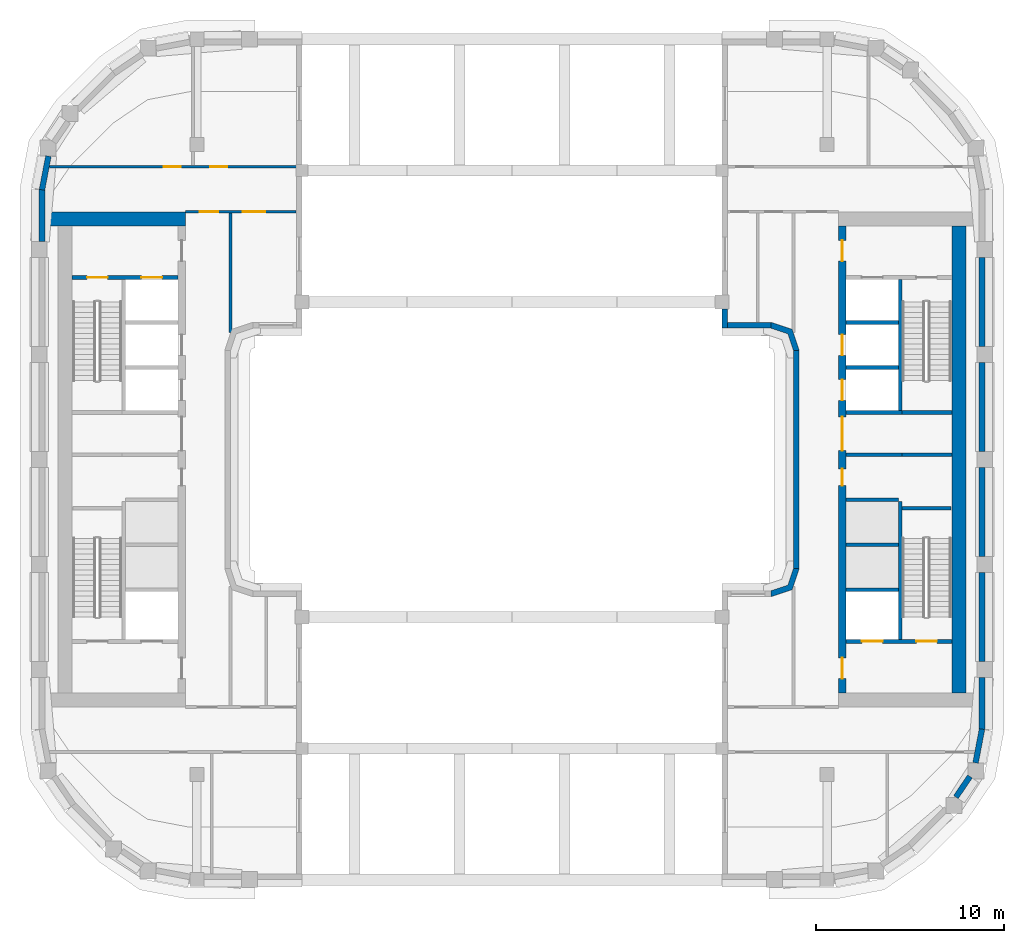
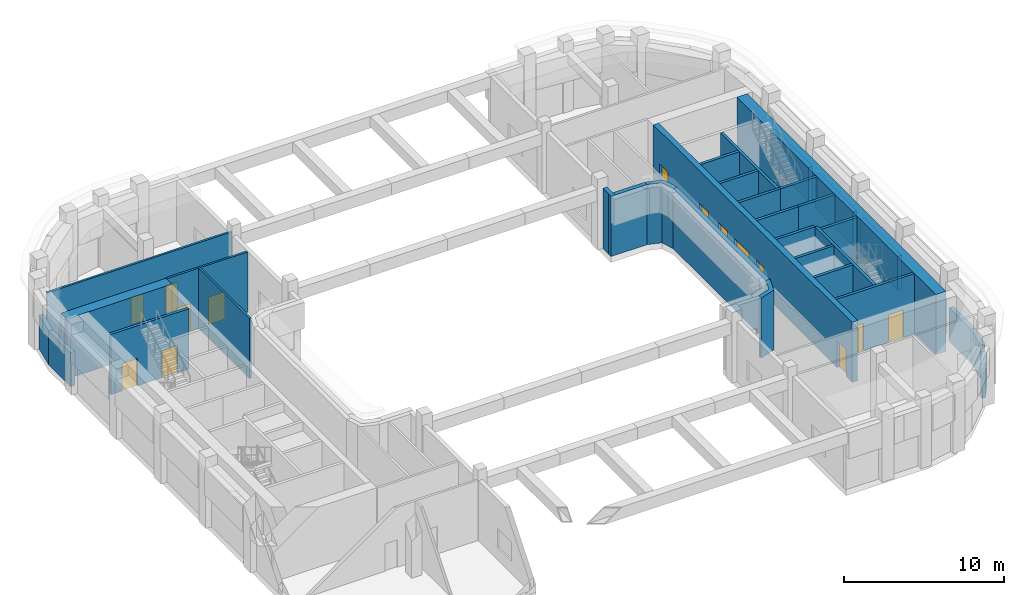
# One storey, part 4 of 13: 34 walls, 14 doors, 14 openings.
"""IFC4 building model written with IfcOpenShell, lengths in metres."""

from ifc_helpers import new_model, si_unit, direction, frame, frame_2d, origin, place, context, subcontext, project, spatial, polyline, rectangle, outline, extrude, material, layer, layer_set, type_object, element, fill, save


model = new_model("IFC4")

# Units and contexts
model_context = context("Model", 3, precision=1e-05, world=origin(), true_north=direction((0.0, 1.0)))
body_context = subcontext(model_context, "Body", "Model", "MODEL_VIEW")
ifc_project = project(units=[si_unit("LENGTHUNIT", "METRE"), si_unit("AREAUNIT", "SQUARE_METRE"), si_unit("VOLUMEUNIT", "CUBIC_METRE"), si_unit("PLANEANGLEUNIT", "RADIAN"), si_unit("MASSUNIT", "GRAM", prefix="KILO")], contexts=[model_context])

# Site, building, storey
site_placement = place(None, origin())
site = spatial("IfcSite", under=ifc_project, at=site_placement, CompositionType="ELEMENT")
building_placement = place(site_placement, origin())
building = spatial("IfcBuilding", under=site, at=building_placement, Name="Kiln Ring Residences", CompositionType="ELEMENT")
storey_placement = place(building_placement, frame((0.0, 0.0, 236.300048828125)))
storey = spatial("IfcBuildingStorey", under=building, at=storey_placement, Name="L61", CompositionType="ELEMENT", Elevation=236.300048828125)

# Walls
ifc_material_1 = material(Name="Gypsum board on steel studs", Category="steel")
ifc_layer_1 = layer(ifc_material_1, 0.199951171875)
ifc_layer_set_1 = layer_set([ifc_layer_1], Name="CORE-PARTITION-200")
wall_type_1 = type_object("IfcWallType", Name="CORE-PARTITION-200", PredefinedType="PARTITIONING", material=ifc_layer_set_1)
wall_1_placement = place(storey_placement, frame((20.800048828125, 0.25, 0.0), z_axis=(0.0, 0.0, 1.0), x_axis=(1.0, 0.0, 0.0)))
element("IfcWall", 1, at=wall_1_placement, inside=storey, type_object=wall_type_1, Name="Core partition east L61 1", PredefinedType="PARTITIONING", context=body_context, shape_type="SweptSolid", body=[
    extrude(rectangle(XDim=2.64990234375, YDim=0.199951171875, at=frame_2d((1.324951171875, 0.0))), origin(), (0.0, 0.0, 1.0), 4.599853515625),
])
ifc_material_2 = material(Name="Gypsum shaft wall system")
ifc_layer_2 = layer(ifc_material_2, 0.199951171875)
ifc_layer_set_2 = layer_set([ifc_layer_2], Name="CORE-SHAFT-WALL-200")
wall_type_2 = type_object("IfcWallType", Name="CORE-SHAFT-WALL-200", PredefinedType="PARTITIONING", material=ifc_layer_set_2)
for number, where, z_axis, x_axis, name in (
    (2, (17.800048828125, -6.949951171875, 0.0), (0.0, 0.0, 1.0), (1.0, 0.0, 0.0), "Core partition east L61 2"),
    (3, (17.800048828125, -4.550048828125, 0.0), (0.0, 0.0, 1.0), (1.0, 0.0, 0.0), "Core partition east L61 3"),
    (4, (17.800048828125, -2.14990234375, 0.0), (0.0, 0.0, 1.0), (1.0, 0.0, 0.0), "Core partition east L61 4"),
):
    element("IfcWall", number, at=place(storey_placement, frame(where, z_axis=z_axis, x_axis=x_axis)), inside=storey, type_object=wall_type_2, Name=name, PredefinedType="PARTITIONING", context=body_context, shape_type="SweptSolid", body=[
        extrude(rectangle(XDim=2.800048828125, YDim=0.199951171875, at=frame_2d((1.39990234375, 0.0))), origin(), (0.0, 0.0, 1.0), 4.599853515625),
    ])
for number, where, z_axis, x_axis, name in (
    (5, (17.800048828125, 0.25, 0.0), (0.0, 0.0, 1.0), (1.0, 0.0, 0.0), "Core partition east L61 5"),
    (6, (17.800048828125, 2.5, 0.0), (0.0, 0.0, 1.0), (1.0, 0.0, 0.0), "Core partition east L61 6"),
):
    element("IfcWall", number, at=place(storey_placement, frame(where, z_axis=z_axis, x_axis=x_axis)), inside=storey, type_object=wall_type_2, Name=name, PredefinedType="PARTITIONING", context=body_context, shape_type="SweptSolid", body=[
        extrude(rectangle(XDim=3.0, YDim=0.199951171875, at=frame_2d((1.5, 0.0))), origin(), (0.0, 0.0, 1.0), 4.599853515625),
    ])
for number, where, z_axis, x_axis, name in (
    (7, (17.800048828125, 4.89990234375, 0.0), (0.0, 0.0, 1.0), (1.0, 0.0, 0.0), "Core partition east L61 7"),
    (8, (17.800048828125, 7.300048828125, 0.0), (0.0, 0.0, 1.0), (1.0, 0.0, 0.0), "Core partition east L61 8"),
):
    element("IfcWall", number, at=place(storey_placement, frame(where, z_axis=z_axis, x_axis=x_axis)), inside=storey, type_object=wall_type_2, Name=name, PredefinedType="PARTITIONING", context=body_context, shape_type="SweptSolid", body=[
        extrude(rectangle(XDim=2.800048828125, YDim=0.199951171875, at=frame_2d((1.39990234375, 0.0))), origin(), (0.0, 0.0, 1.0), 4.599853515625),
    ])

# Wall, openings, doors
ifc_material_3 = material(Name="Concrete C40/50", Category="concrete")
ifc_layer_3 = layer(ifc_material_3, 0.199951171875)
ifc_layer_set_3 = layer_set([ifc_layer_3], Name="CORE-WALL-RC200")
wall_type_3 = type_object("IfcWallType", Name="CORE-WALL-RC200", PredefinedType="SHEAR", material=ifc_layer_set_3)
wall_2_placement = place(storey_placement, frame((-17.800048828125, 9.699951171875, 0.0), z_axis=(0.0, 0.0, 1.0), x_axis=(-1.0, 0.0, 0.0)))
wall_2 = element("IfcWall", 9, at=wall_2_placement, inside=storey, type_object=wall_type_3, Name="Core wall west L61 9", PredefinedType="SHEAR", context=body_context, shape_type="SweptSolid", body=[
    extrude(rectangle(XDim=5.64990234375, YDim=0.199951171875, at=frame_2d((2.824951171875, 0.0))), origin(), (0.0, 0.0, 1.0), 4.599853515625),
])
opening_1_placement = place(wall_2_placement, frame((0.85009765625, 0.0, 0.0)))
opening_1 = element("IfcOpeningElement", 10, at=opening_1_placement, cuts=wall_2, Name="Opening L61-CW05", PredefinedType="OPENING", context=body_context, shape_type="SweptSolid", body=[
    extrude(rectangle(XDim=1.10009765625, YDim=2.10009765625, at=frame_2d((0.550048828125, 1.050048828125))), frame((0.0, 0.10986328125, 0.0), z_axis=(0.0, -1.0, 0.0), x_axis=(1.0, 0.0, 0.0)), (0.0, 0.0, 1.0), 0.219970703125),
])
opening_2_placement = place(wall_2_placement, frame((3.75, 0.0, 0.0)))
opening_2 = element("IfcOpeningElement", 11, at=opening_2_placement, cuts=wall_2, Name="Opening L61-CW08", PredefinedType="OPENING", context=body_context, shape_type="SweptSolid", body=[
    extrude(rectangle(XDim=1.10009765625, YDim=2.10009765625, at=frame_2d((0.550048828125, 1.050048828125))), frame((0.0, 0.10986328125, 0.0), z_axis=(0.0, -1.0, 0.0), x_axis=(1.0, 0.0, 0.0)), (0.0, 0.0, 1.0), 0.219970703125),
])
ifc_material_4 = material(Name="Steel door leaf", Category="steel")
door_type_1 = type_object("IfcDoorType", Name="CORE-DOOR-LD", OperationType="DOUBLE_DOOR_SLIDING", PredefinedType="DOOR", material=ifc_material_4)
door_1_placement = place(opening_1_placement, origin())
door_1 = element("IfcDoor", 12, at=door_1_placement, inside=storey, type_object=door_type_1, Name="LD W-FF L61-CW05", OperationType="DOUBLE_DOOR_SLIDING", OverallHeight=2.10009765625, OverallWidth=1.10009765625, PredefinedType="DOOR", context=body_context, shape_type="SweptSolid", body=[
    extrude(rectangle(XDim=1.10009765625, YDim=2.10009765625, at=frame_2d((0.550048828125, 1.050048828125))), frame((0.0, 0.02490234375, 0.0), z_axis=(0.0, -1.0, 0.0), x_axis=(1.0, 0.0, 0.0)), (0.0, 0.0, 1.0), 0.050048828125),
])
fill(opening_1, door_1)
ifc_material_5 = material(Name="Steel door leaf", Category="steel")
door_type_2 = type_object("IfcDoorType", Name="CORE-DOOR-STAIR", OperationType="SINGLE_SWING_LEFT", PredefinedType="DOOR", material=ifc_material_5)
door_2_placement = place(opening_2_placement, origin())
door_2 = element("IfcDoor", 13, at=door_2_placement, inside=storey, type_object=door_type_2, Name="Stair W-STN L61-CW08", OperationType="SINGLE_SWING_RIGHT", OverallHeight=2.10009765625, OverallWidth=1.10009765625, PredefinedType="DOOR", context=body_context, shape_type="SweptSolid", body=[
    extrude(rectangle(XDim=1.10009765625, YDim=2.10009765625, at=frame_2d((0.550048828125, 1.050048828125))), frame((0.0, 0.02490234375, 0.0), z_axis=(0.0, -1.0, 0.0), x_axis=(1.0, 0.0, 0.0)), (0.0, 0.0, 1.0), 0.050048828125),
])
fill(opening_2, door_2)

# Walls
wall_3_placement = place(storey_placement, frame((20.699951171875, 2.60009765625, 0.0), z_axis=(0.0, 0.0, 1.0), x_axis=(0.0, 1.0, 0.0)))
element("IfcWall", 14, at=wall_3_placement, inside=storey, type_object=wall_type_3, Name="Core wall east L61 1", PredefinedType="SHEAR", context=body_context, shape_type="SweptSolid", body=[
    extrude(rectangle(XDim=7.0, YDim=0.199951171875, at=frame_2d((3.5, 0.0))), origin(), (0.0, 0.0, 1.0), 4.599853515625),
])
wall_4_placement = place(storey_placement, frame((20.699951171875, -9.60009765625, 0.0), z_axis=(0.0, 0.0, 1.0), x_axis=(0.0, 1.0, 0.0)))
element("IfcWall", 15, at=wall_4_placement, inside=storey, type_object=wall_type_3, Name="Core wall east L61 2", PredefinedType="SHEAR", context=body_context, shape_type="SweptSolid", body=[
    extrude(rectangle(XDim=7.35009765625, YDim=0.199951171875, at=frame_2d((3.675048828125, 0.0))), origin(), (0.0, 0.0, 1.0), 4.599853515625),
])
wall_5_placement = place(storey_placement, frame((20.800048828125, 2.5, 0.0), z_axis=(0.0, 0.0, 1.0), x_axis=(1.0, 0.0, 0.0)))
element("IfcWall", 16, at=wall_5_placement, inside=storey, type_object=wall_type_3, Name="Core wall east L61 3", PredefinedType="SHEAR", context=body_context, shape_type="SweptSolid", body=[
    extrude(rectangle(XDim=2.64990234375, YDim=0.199951171875, at=frame_2d((1.324951171875, 0.0))), origin(), (0.0, 0.0, 1.0), 4.599853515625),
])

# Wall, openings, doors
wall_6_placement = place(storey_placement, frame((17.800048828125, -9.699951171875, 0.0), z_axis=(0.0, 0.0, 1.0), x_axis=(1.0, 0.0, 0.0)))
wall_6 = element("IfcWall", 17, at=wall_6_placement, inside=storey, type_object=wall_type_3, Name="Core wall east L61 8", PredefinedType="SHEAR", context=body_context, shape_type="SweptSolid", body=[
    extrude(rectangle(XDim=5.64990234375, YDim=0.199951171875, at=frame_2d((2.824951171875, 0.0))), origin(), (0.0, 0.0, 1.0), 4.599853515625),
])
opening_3_placement = place(wall_6_placement, frame((0.85009765625, 0.0, 0.0)))
opening_3 = element("IfcOpeningElement", 18, at=opening_3_placement, cuts=wall_6, Name="Opening L61-CE01", PredefinedType="OPENING", context=body_context, shape_type="SweptSolid", body=[
    extrude(rectangle(XDim=1.10009765625, YDim=2.10009765625, at=frame_2d((0.550048828125, 1.050048828125))), frame((0.0, 0.10986328125, 0.0), z_axis=(0.0, -1.0, 0.0), x_axis=(1.0, 0.0, 0.0)), (0.0, 0.0, 1.0), 0.219970703125),
])
opening_4_placement = place(wall_6_placement, frame((3.75, 0.0, 0.0)))
opening_4 = element("IfcOpeningElement", 19, at=opening_4_placement, cuts=wall_6, Name="Opening L61-CE09", PredefinedType="OPENING", context=body_context, shape_type="SweptSolid", body=[
    extrude(rectangle(XDim=1.10009765625, YDim=2.10009765625, at=frame_2d((0.550048828125, 1.050048828125))), frame((0.0, 0.10986328125, 0.0), z_axis=(0.0, -1.0, 0.0), x_axis=(1.0, 0.0, 0.0)), (0.0, 0.0, 1.0), 0.219970703125),
])
door_3_placement = place(opening_3_placement, origin())
door_3 = element("IfcDoor", 20, at=door_3_placement, inside=storey, type_object=door_type_1, Name="LD E-SV L61-CE01", OperationType="DOUBLE_DOOR_SLIDING", OverallHeight=2.10009765625, OverallWidth=1.10009765625, PredefinedType="DOOR", context=body_context, shape_type="SweptSolid", body=[
    extrude(rectangle(XDim=1.10009765625, YDim=2.10009765625, at=frame_2d((0.550048828125, 1.050048828125))), frame((0.0, 0.02490234375, 0.0), z_axis=(0.0, -1.0, 0.0), x_axis=(1.0, 0.0, 0.0)), (0.0, 0.0, 1.0), 0.050048828125),
])
fill(opening_3, door_3)
door_4_placement = place(opening_4_placement, origin())
door_4 = element("IfcDoor", 21, at=door_4_placement, inside=storey, type_object=door_type_2, Name="Stair E-STS L61-CE09", OperationType="SINGLE_SWING_LEFT", OverallHeight=2.10009765625, OverallWidth=1.10009765625, PredefinedType="DOOR", context=body_context, shape_type="SweptSolid", body=[
    extrude(rectangle(XDim=1.10009765625, YDim=2.10009765625, at=frame_2d((0.550048828125, 1.050048828125))), frame((0.0, 0.02490234375, 0.0), z_axis=(0.0, -1.0, 0.0), x_axis=(1.0, 0.0, 0.0)), (0.0, 0.0, 1.0), 0.050048828125),
])
fill(opening_4, door_4)

# Wall
wall_7_placement = place(storey_placement, frame((20.800048828125, -2.60009765625, 0.0), z_axis=(0.0, 0.0, 1.0), x_axis=(1.0, 0.0, 0.0)))
element("IfcWall", 22, at=wall_7_placement, inside=storey, type_object=wall_type_3, Name="Core wall east L61 10", PredefinedType="SHEAR", context=body_context, shape_type="SweptSolid", body=[
    extrude(rectangle(XDim=2.599853515625, YDim=0.199951171875, at=frame_2d((1.2998046875, 0.0))), origin(), (0.0, 0.0, 1.0), 4.599853515625),
])

# Wall, openings, doors
ifc_material_6 = material(Name="Concrete C60/75", Category="concrete")
ifc_layer_4 = layer(ifc_material_6, 0.39990234375)
ifc_layer_set_4 = layer_set([ifc_layer_4], Name="CORE-WALL-RC400")
wall_type_4 = type_object("IfcWallType", Name="CORE-WALL-RC400", PredefinedType="SHEAR", material=ifc_layer_set_4)
wall_8_placement = place(storey_placement, frame((17.60009765625, -12.449951171875, 0.0), z_axis=(0.0, 0.0, 1.0), x_axis=(0.0, 1.0, 0.0)))
wall_8 = element("IfcWall", 23, at=wall_8_placement, inside=storey, type_object=wall_type_4, Name="Core wall east L61 6", PredefinedType="SHEAR", context=body_context, shape_type="SweptSolid", body=[
    extrude(rectangle(XDim=24.89990234375, YDim=0.39990234375, at=frame_2d((12.449951171875, 0.0))), origin(), (0.0, 0.0, 1.0), 4.599853515625),
])
opening_5_placement = place(wall_8_placement, frame((11.050048828125, 0.0, 0.0)))
opening_5 = element("IfcOpeningElement", 24, at=opening_5_placement, cuts=wall_8, Name="Opening L61-CE02", PredefinedType="OPENING", context=body_context, shape_type="SweptSolid", body=[
    extrude(rectangle(XDim=0.89990234375, YDim=2.10009765625, at=frame_2d((0.449951171875, 1.050048828125))), frame((0.0, 0.2099609375, 0.0), z_axis=(0.0, -1.0, 0.0), x_axis=(1.0, 0.0, 0.0)), (0.0, 0.0, 1.0), 0.419921875),
])
opening_6_placement = place(wall_8_placement, frame((15.60009765625, 0.0, 0.0)))
opening_6 = element("IfcOpeningElement", 25, at=opening_6_placement, cuts=wall_8, Name="Opening L61-CE03", PredefinedType="OPENING", context=body_context, shape_type="SweptSolid", body=[
    extrude(rectangle(XDim=1.10009765625, YDim=2.10009765625, at=frame_2d((0.550048828125, 1.050048828125))), frame((0.0, 0.2099609375, 0.0), z_axis=(0.0, -1.0, 0.0), x_axis=(1.0, 0.0, 0.0)), (0.0, 0.0, 1.0), 0.419921875),
])
opening_7_placement = place(wall_8_placement, frame((18.0, 0.0, 0.0)))
opening_7 = element("IfcOpeningElement", 26, at=opening_7_placement, cuts=wall_8, Name="Opening L61-CE04", PredefinedType="OPENING", context=body_context, shape_type="SweptSolid", body=[
    extrude(rectangle(XDim=1.10009765625, YDim=2.10009765625, at=frame_2d((0.550048828125, 1.050048828125))), frame((0.0, 0.2099609375, 0.0), z_axis=(0.0, -1.0, 0.0), x_axis=(1.0, 0.0, 0.0)), (0.0, 0.0, 1.0), 0.419921875),
])
opening_8_placement = place(wall_8_placement, frame((23.02490234375, 0.0, 0.0)))
opening_8 = element("IfcOpeningElement", 27, at=opening_8_placement, cuts=wall_8, Name="Opening L61-CE06", PredefinedType="OPENING", context=body_context, shape_type="SweptSolid", body=[
    extrude(rectangle(XDim=1.10009765625, YDim=2.10009765625, at=frame_2d((0.550048828125, 1.050048828125))), frame((0.0, 0.2099609375, 0.0), z_axis=(0.0, -1.0, 0.0), x_axis=(1.0, 0.0, 0.0)), (0.0, 0.0, 1.0), 0.419921875),
])
opening_9_placement = place(wall_8_placement, frame((0.77490234375, 0.0, 0.0)))
opening_9 = element("IfcOpeningElement", 28, at=opening_9_placement, cuts=wall_8, Name="Opening L61-CE07", PredefinedType="OPENING", context=body_context, shape_type="SweptSolid", body=[
    extrude(rectangle(XDim=1.10009765625, YDim=2.10009765625, at=frame_2d((0.550048828125, 1.050048828125))), frame((0.0, 0.2099609375, 0.0), z_axis=(0.0, -1.0, 0.0), x_axis=(1.0, 0.0, 0.0)), (0.0, 0.0, 1.0), 0.419921875),
])
opening_10_placement = place(wall_8_placement, frame((12.925048828125, 0.0, 0.0)))
opening_10 = element("IfcOpeningElement", 29, at=opening_10_placement, cuts=wall_8, Name="Opening L61-CE10", PredefinedType="OPENING", context=body_context, shape_type="SweptSolid", body=[
    extrude(rectangle(XDim=1.800048828125, YDim=2.10009765625, at=frame_2d((0.89990234375, 1.050048828125))), frame((0.0, 0.2099609375, 0.0), z_axis=(0.0, -1.0, 0.0), x_axis=(1.0, 0.0, 0.0)), (0.0, 0.0, 1.0), 0.419921875),
])
door_5_placement = place(opening_6_placement, origin())
door_5 = element("IfcDoor", 30, at=door_5_placement, inside=storey, type_object=door_type_1, Name="LD E-M1 L61-CE03", OperationType="DOUBLE_DOOR_SLIDING", OverallHeight=2.10009765625, OverallWidth=1.10009765625, PredefinedType="DOOR", context=body_context, shape_type="SweptSolid", body=[
    extrude(rectangle(XDim=1.10009765625, YDim=2.10009765625, at=frame_2d((0.550048828125, 1.050048828125))), frame((0.0, 0.02490234375, 0.0), z_axis=(0.0, -1.0, 0.0), x_axis=(1.0, 0.0, 0.0)), (0.0, 0.0, 1.0), 0.050048828125),
])
fill(opening_6, door_5)
door_6_placement = place(opening_7_placement, origin())
door_6 = element("IfcDoor", 31, at=door_6_placement, inside=storey, type_object=door_type_1, Name="LD E-M2 L61-CE04", OperationType="DOUBLE_DOOR_SLIDING", OverallHeight=2.10009765625, OverallWidth=1.10009765625, PredefinedType="DOOR", context=body_context, shape_type="SweptSolid", body=[
    extrude(rectangle(XDim=1.10009765625, YDim=2.10009765625, at=frame_2d((0.550048828125, 1.050048828125))), frame((0.0, 0.02490234375, 0.0), z_axis=(0.0, -1.0, 0.0), x_axis=(1.0, 0.0, 0.0)), (0.0, 0.0, 1.0), 0.050048828125),
])
fill(opening_7, door_6)
ifc_material_7 = material(Name="Steel door leaf", Category="steel")
door_type_3 = type_object("IfcDoorType", Name="CORE-DOOR-LOBBY", OperationType="SINGLE_SWING_LEFT", PredefinedType="DOOR", material=ifc_material_7)
door_7_placement = place(opening_8_placement, origin())
door_7 = element("IfcDoor", 32, at=door_7_placement, inside=storey, type_object=door_type_3, Name="FFL L61-CE06", OperationType="SINGLE_SWING_RIGHT", OverallHeight=2.10009765625, OverallWidth=1.10009765625, PredefinedType="DOOR", context=body_context, shape_type="SweptSolid", body=[
    extrude(rectangle(XDim=1.10009765625, YDim=2.10009765625, at=frame_2d((0.550048828125, 1.050048828125))), frame((0.0, 0.02490234375, 0.0), z_axis=(0.0, -1.0, 0.0), x_axis=(1.0, 0.0, 0.0)), (0.0, 0.0, 1.0), 0.050048828125),
])
fill(opening_8, door_7)
door_8_placement = place(opening_9_placement, origin())
door_8 = element("IfcDoor", 33, at=door_8_placement, inside=storey, type_object=door_type_3, Name="SVL L61-CE07", OperationType="SINGLE_SWING_LEFT", OverallHeight=2.10009765625, OverallWidth=1.10009765625, PredefinedType="DOOR", context=body_context, shape_type="SweptSolid", body=[
    extrude(rectangle(XDim=1.10009765625, YDim=2.10009765625, at=frame_2d((0.550048828125, 1.050048828125))), frame((0.0, 0.02490234375, 0.0), z_axis=(0.0, -1.0, 0.0), x_axis=(1.0, 0.0, 0.0)), (0.0, 0.0, 1.0), 0.050048828125),
])
fill(opening_9, door_8)
ifc_material_8 = material(Name="Steel door leaf", Category="steel")
door_type_4 = type_object("IfcDoorType", Name="CORE-DOOR-PASS", OperationType="DOUBLE_DOOR_SINGLE_SWING", PredefinedType="DOOR", material=ifc_material_8)
door_9_placement = place(opening_10_placement, origin())
door_9 = element("IfcDoor", 34, at=door_9_placement, inside=storey, type_object=door_type_4, Name="Core passage L61-CE10", OperationType="DOUBLE_DOOR_SINGLE_SWING", OverallHeight=2.10009765625, OverallWidth=1.800048828125, PredefinedType="DOOR", context=body_context, shape_type="SweptSolid", body=[
    extrude(rectangle(XDim=1.800048828125, YDim=2.10009765625, at=frame_2d((0.89990234375, 1.050048828125))), frame((0.0, 0.02490234375, 0.0), z_axis=(0.0, -1.0, 0.0), x_axis=(1.0, 0.0, 0.0)), (0.0, 0.0, 1.0), 0.050048828125),
])
fill(opening_10, door_9)
ifc_material_9 = material(Name="Steel door leaf", Category="steel")
door_type_5 = type_object("IfcDoorType", Name="CORE-DOOR-ROOM", OperationType="SINGLE_SWING_LEFT", PredefinedType="DOOR", material=ifc_material_9)
door_10_placement = place(opening_5_placement, origin())
door_10 = element("IfcDoor", 35, at=door_10_placement, inside=storey, type_object=door_type_5, Name="Store L61-CE02", OperationType="SINGLE_SWING_LEFT", OverallHeight=2.10009765625, OverallWidth=0.89990234375, PredefinedType="DOOR", context=body_context, shape_type="SweptSolid", body=[
    extrude(rectangle(XDim=0.89990234375, YDim=2.10009765625, at=frame_2d((0.449951171875, 1.050048828125))), frame((0.0, 0.02490234375, 0.0), z_axis=(0.0, -1.0, 0.0), x_axis=(1.0, 0.0, 0.0)), (0.0, 0.0, 1.0), 0.050048828125),
])
fill(opening_5, door_10)

# Walls
ifc_material_10 = material(Name="Concrete C60/75", Category="concrete")
ifc_layer_5 = layer(ifc_material_10, 0.75)
ifc_layer_set_5 = layer_set([ifc_layer_5], Name="CORE-WALL-RC750")
wall_type_5 = type_object("IfcWallType", Name="CORE-WALL-RC750", PredefinedType="SHEAR", material=ifc_layer_set_5)
wall_9_placement = place(storey_placement, frame((-17.39990234375, 12.824951171875, 0.0), z_axis=(0.0, 0.0, 1.0), x_axis=(-1.0, 0.0, 0.0)))
element("IfcWall", 36, at=wall_9_placement, inside=storey, type_object=wall_type_5, Name="Core wall west L61 4", PredefinedType="SHEAR", context=body_context, shape_type="SweptSolid", body=[
    extrude(rectangle(XDim=7.60009765625, YDim=0.75, at=frame_2d((3.800048828125, 0.0))), origin(), (0.0, 0.0, 1.0), 4.599853515625),
])
wall_10_placement = place(storey_placement, frame((23.824951171875, -12.449951171875, 0.0), z_axis=(0.0, 0.0, 1.0), x_axis=(0.0, 1.0, 0.0)))
element("IfcWall", 37, at=wall_10_placement, inside=storey, type_object=wall_type_5, Name="Core wall east L61 7", PredefinedType="SHEAR", context=body_context, shape_type="SweptSolid", body=[
    extrude(rectangle(XDim=24.89990234375, YDim=0.75, at=frame_2d((12.449951171875, 0.0))), origin(), (0.0, 0.0, 1.0), 4.599853515625),
])
ifc_material_11 = material(Name="Brick masonry, dark clay brick", Category="masonry")
ifc_layer_6 = layer(ifc_material_11, 0.300048828125)
ifc_layer_set_6 = layer_set([ifc_layer_6], Name="EW-300 BRICK WALL")
wall_type_6 = type_object("IfcWallType", Name="EW-300 BRICK WALL", PredefinedType="SOLIDWALL", material=ifc_layer_set_6)
wall_11_placement = place(storey_placement, frame((-24.70947265625, 16.170654296875, 0.0), z_axis=(0.0, 0.0, 1.0), x_axis=(-0.187442908742, -0.982275499014, 0.0)))
element("IfcWall", 38, at=wall_11_placement, inside=storey, type_object=wall_type_6, Name="Facade wall L61 23", PredefinedType="SOLIDWALL", context=body_context, shape_type="SweptSolid", body=[
    extrude(rectangle(XDim=1.831298828125, YDim=0.300048828125, at=frame_2d((0.91552734375, 0.0))), origin(), (0.0, 0.0, 1.0), 2.599853515625),
])
wall_12_placement = place(storey_placement, frame((-25.050048828125, 14.39990234375, 0.0), z_axis=(0.0, 0.0, 1.0), x_axis=(0.0, -1.0, 0.0)))
element("IfcWall", 39, at=wall_12_placement, inside=storey, type_object=wall_type_6, Name="Facade wall L61 24", PredefinedType="SOLIDWALL", context=body_context, shape_type="SweptSolid", body=[
    extrude(rectangle(XDim=2.77490234375, YDim=0.300048828125, at=frame_2d((1.387451171875, 0.0))), origin(), (0.0, 0.0, 1.0), 2.599853515625),
])
wall_13_placement = place(storey_placement, frame((23.662109375, -17.995849609375, 0.0), z_axis=(0.0, 0.0, 1.0), x_axis=(0.562149004813, 0.827035970432, 0.0)))
element("IfcWall", 40, at=wall_13_placement, inside=storey, type_object=wall_type_6, Name="Facade wall L61 39", PredefinedType="SOLIDWALL", context=body_context, shape_type="SweptSolid", body=[
    extrude(rectangle(XDim=1.3271484375, YDim=0.300048828125, at=frame_2d((0.66357421875, 0.0))), origin(), (0.0, 0.0, 1.0), 2.599853515625),
])
wall_14_placement = place(storey_placement, frame((24.70947265625, -16.170654296875, 0.0), z_axis=(0.0, 0.0, 1.0), x_axis=(0.187442908742, 0.982275499014, 0.0)))
element("IfcWall", 41, at=wall_14_placement, inside=storey, type_object=wall_type_6, Name="Facade wall L61 40", PredefinedType="SOLIDWALL", context=body_context, shape_type="SweptSolid", body=[
    extrude(rectangle(XDim=1.831298828125, YDim=0.300048828125, at=frame_2d((0.91552734375, 0.0))), origin(), (0.0, 0.0, 1.0), 2.599853515625),
])
wall_15_placement = place(storey_placement, frame((25.050048828125, -14.39990234375, 0.0), z_axis=(0.0, 0.0, 1.0), x_axis=(0.0, 1.0, 0.0)))
element("IfcWall", 42, at=wall_15_placement, inside=storey, type_object=wall_type_6, Name="Facade wall L61 41", PredefinedType="SOLIDWALL", context=body_context, shape_type="SweptSolid", body=[
    extrude(rectangle(XDim=2.77490234375, YDim=0.300048828125, at=frame_2d((1.387451171875, 0.0))), origin(), (0.0, 0.0, 1.0), 2.599853515625),
])
for number, where, z_axis, x_axis, name in (
    (43, (25.050048828125, -10.77490234375, 0.0), (0.0, 0.0, 1.0), (0.0, 1.0, 0.0), "Facade wall L61 42"),
    (44, (25.050048828125, -5.175048828125, 0.0), (0.0, 0.0, 1.0), (0.0, 1.0, 0.0), "Facade wall L61 43"),
    (45, (25.050048828125, 0.425048828125, 0.0), (0.0, 0.0, 1.0), (0.0, 1.0, 0.0), "Facade wall L61 44"),
    (46, (25.050048828125, 6.02490234375, 0.0), (0.0, 0.0, 1.0), (0.0, 1.0, 0.0), "Facade wall L61 45"),
):
    element("IfcWall", number, at=place(storey_placement, frame(where, z_axis=z_axis, x_axis=x_axis)), inside=storey, type_object=wall_type_6, Name=name, PredefinedType="SOLIDWALL", context=body_context, shape_type="SweptSolid", body=[
        extrude(rectangle(XDim=4.75, YDim=0.300048828125, at=frame_2d((2.375, 0.0))), origin(), (0.0, 0.0, 1.0), 2.599853515625),
    ])
wall_16_placement = place(storey_placement, frame((11.35009765625, 8.02490234375, 0.0), z_axis=(0.0, 0.0, 1.0), x_axis=(0.0, -1.0, 0.0)))
element("IfcWall", 47, at=wall_16_placement, inside=storey, type_object=wall_type_6, Name="Facade wall L61 56", PredefinedType="SOLIDWALL", context=body_context, shape_type="SweptSolid", body=[
    extrude(rectangle(XDim=1.02490234375, YDim=0.300048828125, at=frame_2d((0.512451171875, 0.0))), origin(), (0.0, 0.0, 1.0), 4.599853515625),
])
wall_17_placement = place(storey_placement, frame((11.199951171875, 7.14990234375, 0.0), z_axis=(0.0, 0.0, 1.0), x_axis=(1.0, 0.0, 0.0)))
element("IfcWall", 48, at=wall_17_placement, inside=storey, type_object=wall_type_6, Name="Facade wall L61 57", PredefinedType="SOLIDWALL", context=body_context, shape_type="SweptSolid", body=[
    extrude(rectangle(XDim=2.60009765625, YDim=0.300048828125, at=frame_2d((1.300048828125, 0.0))), origin(), (0.0, 0.0, 1.0), 4.599853515625),
])
wall_18_placement = place(storey_placement, frame((15.14990234375, 5.800048828125, 0.0), z_axis=(0.0, 0.0, 1.0), x_axis=(0.0, -1.0, 0.0)))
element("IfcWall", 49, at=wall_18_placement, inside=storey, type_object=wall_type_6, Name="Facade wall L61 58", PredefinedType="SOLIDWALL", context=body_context, shape_type="SweptSolid", body=[
    extrude(rectangle(XDim=11.60009765625, YDim=0.300048828125, at=frame_2d((5.800048828125, 0.0))), origin(), (0.0, 0.0, 1.0), 4.599853515625),
])
placement = place(storey_placement, origin())
element("IfcWall", 50, at=placement, inside=storey, type_object=wall_type_6, Name="Corner wall L61 3", PredefinedType="SOLIDWALL", context=body_context, shape_type="SweptSolid", body=[
    extrude(outline(polyline([(13.800048828125, 7.0), (14.699951171875, 6.699951171875), (15.0, 5.800048828125), (15.300048828125, 5.800048828125), (15.300048828125, 5.8486328125), (14.937255859375, 6.937255859375), (13.8486328125, 7.300048828125), (13.800048828125, 7.300048828125), (13.800048828125, 7.0)])), origin(), (0.0, 0.0, 1.0), 4.599853515625),
])
element("IfcWall", 51, at=placement, inside=storey, type_object=wall_type_6, Name="Corner wall L61 4", PredefinedType="SOLIDWALL", context=body_context, shape_type="SweptSolid", body=[
    extrude(outline(polyline([(15.0, -5.800048828125), (14.699951171875, -6.699951171875), (13.800048828125, -7.0), (13.800048828125, -7.300048828125), (13.8486328125, -7.300048828125), (14.937255859375, -6.937255859375), (15.300048828125, -5.8486328125), (15.300048828125, -5.800048828125), (15.0, -5.800048828125)])), origin(), (0.0, 0.0, 1.0), 4.599853515625),
])

# Wall, openings, doors
ifc_material_12 = material(Name="Brick masonry partition", Category="masonry")
ifc_layer_7 = layer(ifc_material_12, 0.14990234375)
ifc_layer_set_7 = layer_set([ifc_layer_7], Name="PARTITION-150-ei60")
wall_type_7 = type_object("IfcWallType", Name="PARTITION-150-ei60", PredefinedType="PARTITIONING", material=ifc_layer_set_7)
wall_21_placement = place(storey_placement, frame((-17.39990234375, 13.199951171875, 0.0), z_axis=(0.0, 0.0, 1.0), x_axis=(1.0, 0.0, 0.0)))
wall_21 = element("IfcWall", 52, at=wall_21_placement, inside=storey, type_object=wall_type_7, Name="Partition 004", PredefinedType="PARTITIONING", context=body_context, shape_type="SweptSolid", body=[
    extrude(rectangle(XDim=5.8798828125, YDim=0.14990234375, at=frame_2d((2.93994140625, 0.0))), origin(), (0.0, 0.0, 1.0), 4.599853515625),
])
opening_11_placement = place(wall_21_placement, frame((0.75, 0.0, 0.0)))
opening_11 = element("IfcOpeningElement", 53, at=opening_11_placement, cuts=wall_21, Name="Opening L61-D006", PredefinedType="OPENING", context=body_context, shape_type="SweptSolid", body=[
    extrude(rectangle(XDim=1.0, YDim=2.10009765625, at=frame_2d((0.5, 1.050048828125))), frame((0.0, 0.0849609375, 0.0), z_axis=(0.0, -1.0, 0.0), x_axis=(1.0, 0.0, 0.0)), (0.0, 0.0, 1.0), 0.169921875),
])
opening_12_placement = place(wall_21_placement, frame((3.050048828125, 0.0, 0.0)))
opening_12 = element("IfcOpeningElement", 54, at=opening_12_placement, cuts=wall_21, Name="Opening L61-D007", PredefinedType="OPENING", context=body_context, shape_type="SweptSolid", body=[
    extrude(rectangle(XDim=1.199951171875, YDim=2.10009765625, at=frame_2d((0.60009765625, 1.050048828125))), frame((0.0, 0.0849609375, 0.0), z_axis=(0.0, -1.0, 0.0), x_axis=(1.0, 0.0, 0.0)), (0.0, 0.0, 1.0), 0.169921875),
])
ifc_material_13 = material(Name="Steel faced fire door leaf", Category="steel")
door_type_6 = type_object("IfcDoorType", Name="FLAT-DOOR-1000-FR", OperationType="SINGLE_SWING_LEFT", PredefinedType="DOOR", material=ifc_material_13)
door_11_placement = place(opening_11_placement, origin())
door_11 = element("IfcDoor", 55, at=door_11_placement, inside=storey, type_object=door_type_6, Name="Door L61-D006", OperationType="SINGLE_SWING_LEFT", OverallHeight=2.10009765625, OverallWidth=1.0, PredefinedType="DOOR", context=body_context, shape_type="SweptSolid", body=[
    extrude(rectangle(XDim=1.0, YDim=2.10009765625, at=frame_2d((0.5, 1.050048828125))), frame((0.0, 0.02490234375, 0.0), z_axis=(0.0, -1.0, 0.0), x_axis=(1.0, 0.0, 0.0)), (0.0, 0.0, 1.0), 0.050048828125),
])
fill(opening_11, door_11)
ifc_material_14 = material(Name="Steel faced fire door leaf", Category="steel")
door_type_7 = type_object("IfcDoorType", Name="FLAT-DOOR-1200-FR", OperationType="SINGLE_SWING_LEFT", PredefinedType="DOOR", material=ifc_material_14)
door_12_placement = place(opening_12_placement, origin())
door_12 = element("IfcDoor", 56, at=door_12_placement, inside=storey, type_object=door_type_7, Name="Door L61-D007", OperationType="SINGLE_SWING_LEFT", OverallHeight=2.10009765625, OverallWidth=1.199951171875, PredefinedType="DOOR", context=body_context, shape_type="SweptSolid", body=[
    extrude(rectangle(XDim=1.199951171875, YDim=2.10009765625, at=frame_2d((0.60009765625, 1.050048828125))), frame((0.0, 0.02490234375, 0.0), z_axis=(0.0, -1.0, 0.0), x_axis=(1.0, 0.0, 0.0)), (0.0, 0.0, 1.0), 0.050048828125),
])
fill(opening_12, door_12)

wall_22_placement = place(storey_placement, frame((-24.645751953125, 15.60009765625, 0.0), z_axis=(0.0, 0.0, 1.0), x_axis=(1.0, 0.0, 0.0)))
wall_22 = element("IfcWall", 57, at=wall_22_placement, inside=storey, type_object=wall_type_7, Name="Partition 006", PredefinedType="PARTITIONING", context=body_context, shape_type="SweptSolid", body=[
    extrude(rectangle(XDim=13.355712890625, YDim=0.14990234375, at=frame_2d((6.677734375, 0.0))), origin(), (0.0, 0.0, 1.0), 4.599853515625),
])
opening_13_placement = place(wall_22_placement, frame((8.5556640625, 0.0, 0.0)))
opening_13 = element("IfcOpeningElement", 58, at=opening_13_placement, cuts=wall_22, Name="Opening L61-D008", PredefinedType="OPENING", context=body_context, shape_type="SweptSolid", body=[
    extrude(rectangle(XDim=0.89990234375, YDim=2.10009765625, at=frame_2d((0.449951171875, 1.050048828125))), frame((0.0, 0.0849609375, 0.0), z_axis=(0.0, -1.0, 0.0), x_axis=(1.0, 0.0, 0.0)), (0.0, 0.0, 1.0), 0.169921875),
])
opening_14_placement = place(wall_22_placement, frame((6.095703125, 0.0, 0.0)))
opening_14 = element("IfcOpeningElement", 59, at=opening_14_placement, cuts=wall_22, Name="Opening L61-D009", PredefinedType="OPENING", context=body_context, shape_type="SweptSolid", body=[
    extrude(rectangle(XDim=0.89990234375, YDim=2.10009765625, at=frame_2d((0.449951171875, 1.050048828125))), frame((0.0, 0.0849609375, 0.0), z_axis=(0.0, -1.0, 0.0), x_axis=(1.0, 0.0, 0.0)), (0.0, 0.0, 1.0), 0.169921875),
])
ifc_material_15 = material(Name="Steel faced fire door leaf", Category="steel")
door_type_8 = type_object("IfcDoorType", Name="FLAT-DOOR-900-FR", OperationType="SINGLE_SWING_LEFT", PredefinedType="DOOR", material=ifc_material_15)
door_13_placement = place(opening_13_placement, origin())
door_13 = element("IfcDoor", 60, at=door_13_placement, inside=storey, type_object=door_type_8, Name="Door L61-D008", OperationType="SINGLE_SWING_RIGHT", OverallHeight=2.10009765625, OverallWidth=0.89990234375, PredefinedType="DOOR", context=body_context, shape_type="SweptSolid", body=[
    extrude(rectangle(XDim=0.89990234375, YDim=2.10009765625, at=frame_2d((0.449951171875, 1.050048828125))), frame((0.0, 0.02490234375, 0.0), z_axis=(0.0, -1.0, 0.0), x_axis=(1.0, 0.0, 0.0)), (0.0, 0.0, 1.0), 0.050048828125),
])
fill(opening_13, door_13)
door_14_placement = place(opening_14_placement, origin())
door_14 = element("IfcDoor", 61, at=door_14_placement, inside=storey, type_object=door_type_8, Name="Door L61-D009", OperationType="SINGLE_SWING_LEFT", OverallHeight=2.10009765625, OverallWidth=0.89990234375, PredefinedType="DOOR", context=body_context, shape_type="SweptSolid", body=[
    extrude(rectangle(XDim=0.89990234375, YDim=2.10009765625, at=frame_2d((0.449951171875, 1.050048828125))), frame((0.0, 0.02490234375, 0.0), z_axis=(0.0, -1.0, 0.0), x_axis=(1.0, 0.0, 0.0)), (0.0, 0.0, 1.0), 0.050048828125),
])
fill(opening_14, door_14)

# Wall
wall_23_placement = place(storey_placement, frame((-15.0, 6.768798828125, 0.0), z_axis=(0.0, 0.0, 1.0), x_axis=(0.0, 1.0, 0.0)))
element("IfcWall", 62, at=wall_23_placement, inside=storey, type_object=wall_type_7, Name="Partition 011", PredefinedType="PARTITIONING", context=body_context, shape_type="SweptSolid", body=[
    extrude(rectangle(XDim=6.356201171875, YDim=0.14990234375, at=frame_2d((3.17822265625, 0.0))), origin(), (0.0, 0.0, 1.0), 4.599853515625),
])

save(model, "model.ifc")
